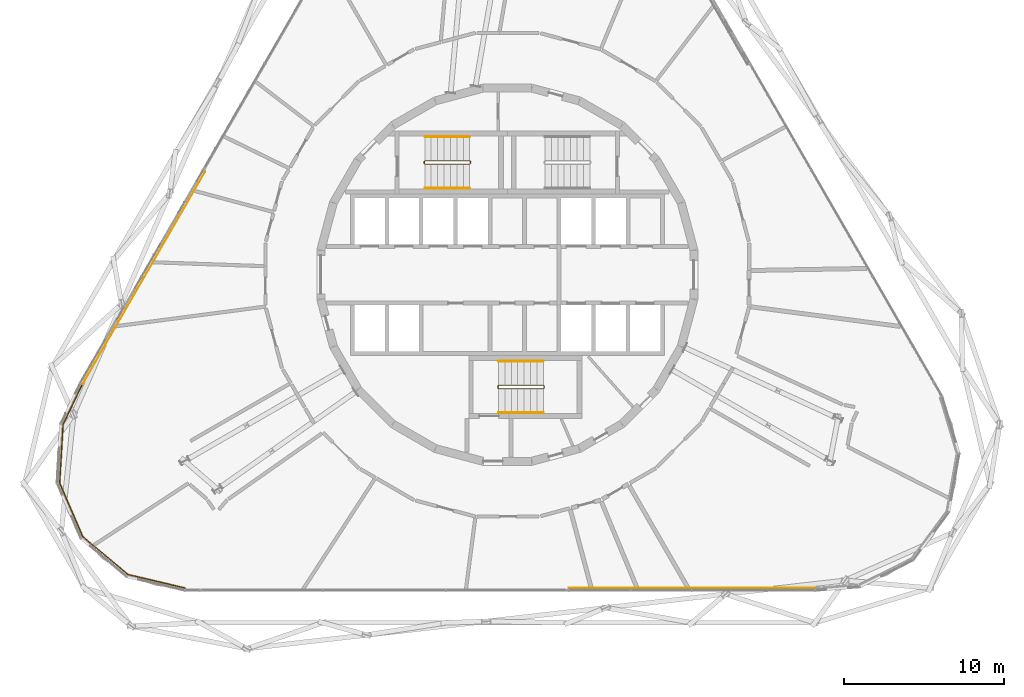
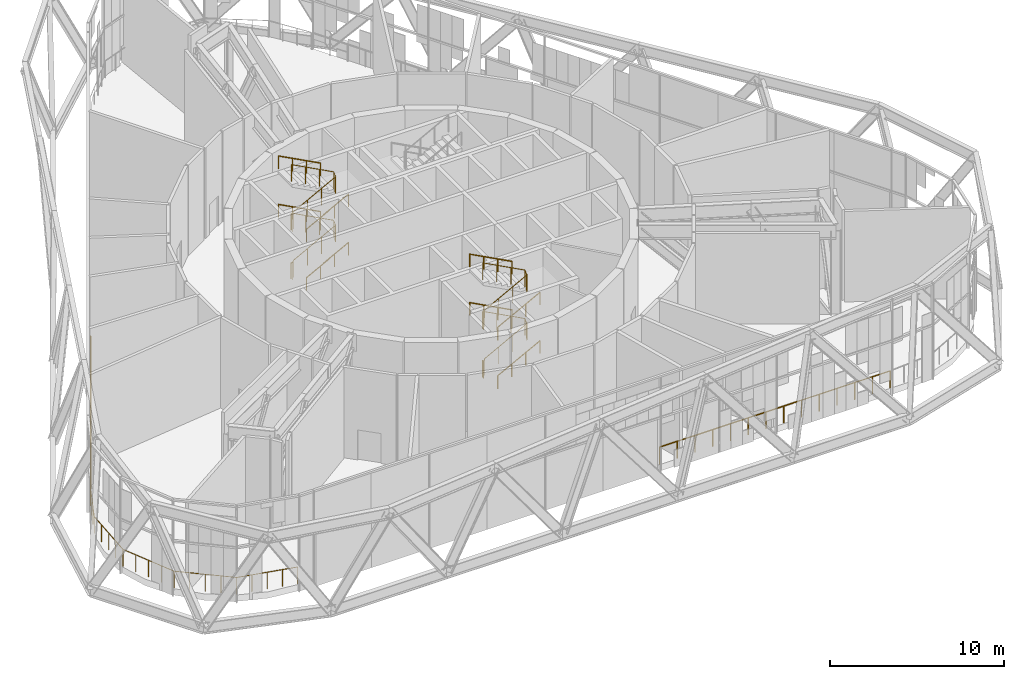
# One storey, part 28 of 29: 13 railings.
"""IFC4 building model written with IfcOpenShell, lengths in metres."""

from ifc_helpers import new_model, si_unit, direction, frame, origin, origin_2d, place, context, subcontext, project, spatial, circle, extrude, material, type_object, element, save


model = new_model("IFC4")

# Units and contexts
model_context = context("Model", 3, precision=1e-05, world=origin(), true_north=direction((0.0, 1.0)))
body_context = subcontext(model_context, "Body", "Model", "MODEL_VIEW")
ifc_project = project(units=[si_unit("LENGTHUNIT", "METRE"), si_unit("AREAUNIT", "SQUARE_METRE"), si_unit("VOLUMEUNIT", "CUBIC_METRE"), si_unit("PLANEANGLEUNIT", "RADIAN"), si_unit("MASSUNIT", "GRAM", prefix="KILO")], contexts=[model_context])

# Site, building, storey
site_placement = place(None, origin())
site = spatial("IfcSite", under=ifc_project, at=site_placement, CompositionType="ELEMENT")
building_placement = place(site_placement, origin())
building = spatial("IfcBuilding", under=site, at=building_placement, Name="Spindle Arch Residences", CompositionType="ELEMENT")
storey_placement = place(building_placement, frame((0.0, 0.0, 69.89990234375)))
storey = spatial("IfcBuildingStorey", under=building, at=storey_placement, Name="L16", CompositionType="ELEMENT", Elevation=69.89990234375)

# Railings
ifc_material_1 = material(Name="Bronze anodised aluminium guard with glass infill", Category="aluminium")
railing_type_1 = type_object("IfcRailingType", Name="Facade guard 1200", PredefinedType="GUARDRAIL", material=ifc_material_1)
railing_1_placement = place(storey_placement, frame((-18.87451171875, 6.428466796875, 0.0)))
element("IfcRailing", 1, at=railing_1_placement, inside=storey, type_object=railing_type_1, Name="Facade guard L16 4", PredefinedType="GUARDRAIL", context=body_context, shape_type="SweptSolid", body=[
    extrude(circle(Radius=0.02392578125, at=origin_2d()), frame((0.0, 0.0, 1.17578125), z_axis=(-0.499986733834, -0.866033062874, 0.0), x_axis=(0.866033062874, -0.499986733834, 0.0)), (0.0, 0.0, 1.0), 15.30029296875),
    extrude(circle(Radius=0.02099609375, at=origin_2d()), origin(), (0.0, 0.0, 1.0), 1.15185546875),
    extrude(circle(Radius=0.02099609375, at=origin_2d()), frame((-0.58837890625, -1.019287109375, 0.0)), (0.0, 0.0, 1.0), 1.15185546875),
    extrude(circle(Radius=0.02099609375, at=origin_2d()), frame((-1.177001953125, -2.03857421875, 0.0)), (0.0, 0.0, 1.0), 1.15185546875),
    extrude(circle(Radius=0.02099609375, at=origin_2d()), frame((-1.765380859375, -3.057861328125, 0.0)), (0.0, 0.0, 1.0), 1.15185546875),
    extrude(circle(Radius=0.02099609375, at=origin_2d()), frame((-2.353759765625, -4.0771484375, 0.0)), (0.0, 0.0, 1.0), 1.15185546875),
    extrude(circle(Radius=0.02099609375, at=origin_2d()), frame((-2.9423828125, -5.096435546875, 0.0)), (0.0, 0.0, 1.0), 1.15185546875),
    extrude(circle(Radius=0.02099609375, at=origin_2d()), frame((-3.53076171875, -6.11572265625, 0.0)), (0.0, 0.0, 1.0), 1.15185546875),
    extrude(circle(Radius=0.02099609375, at=origin_2d()), frame((-4.119140625, -7.134765625, 0.0)), (0.0, 0.0, 1.0), 1.15185546875),
    extrude(circle(Radius=0.02099609375, at=origin_2d()), frame((-4.70751953125, -8.154052734375, 0.0)), (0.0, 0.0, 1.0), 1.15185546875),
    extrude(circle(Radius=0.02099609375, at=origin_2d()), frame((-5.296142578125, -9.17333984375, 0.0)), (0.0, 0.0, 1.0), 1.15185546875),
    extrude(circle(Radius=0.02099609375, at=origin_2d()), frame((-5.884521484375, -10.192626953125, 0.0)), (0.0, 0.0, 1.0), 1.15185546875),
    extrude(circle(Radius=0.02099609375, at=origin_2d()), frame((-6.472900390625, -11.2119140625, 0.0)), (0.0, 0.0, 1.0), 1.15185546875),
    extrude(circle(Radius=0.02099609375, at=origin_2d()), frame((-7.0615234375, -12.231201171875, 0.0)), (0.0, 0.0, 1.0), 1.15185546875),
    extrude(circle(Radius=0.02099609375, at=origin_2d()), frame((-7.64990234375, -13.25048828125, 0.0)), (0.0, 0.0, 1.0), 1.15185546875),
])
railing_2_placement = place(storey_placement, frame((-26.547119140625, -6.86474609375, 0.0)))
element("IfcRailing", 2, at=railing_2_placement, inside=storey, type_object=railing_type_1, Name="Facade guard L16 5", PredefinedType="GUARDRAIL", context=body_context, shape_type="SweptSolid", body=[
    extrude(circle(Radius=0.02392578125, at=origin_2d()), frame((0.0, 0.0, 1.17578125), z_axis=(-0.43147744699, -0.902123723631, 0.0), x_axis=(0.902123723631, -0.43147744699, 0.0)), (0.0, 0.0, 1.0), 2.7548828125),
    extrude(circle(Radius=0.02392578125, at=origin_2d()), frame((-1.188720703125, -2.4853515625, 1.17578125), z_axis=(-0.058242077494, -0.998302489434, 0.0), x_axis=(0.998302489434, -0.058242077494, 0.0)), (0.0, 0.0, 1.0), 3.66796875),
    extrude(circle(Radius=0.02392578125, at=origin_2d()), frame((-1.40234375, -6.14697265625, 1.17578125), z_axis=(0.396762150344, -0.917921454186, 0.0), x_axis=(0.917921454186, 0.396762150344, 0.0)), (0.0, 0.0, 1.0), 3.65625),
    extrude(circle(Radius=0.02392578125, at=origin_2d()), frame((0.04833984375, -9.503173828125, 1.17578125), z_axis=(0.766444959799, -0.642309990269, 0.0), x_axis=(0.642309990269, 0.766444959799, 0.0)), (0.0, 0.0, 1.0), 3.65625),
    extrude(circle(Radius=0.02392578125, at=origin_2d()), frame((2.8505859375, -11.8515625, 1.17578125), z_axis=(0.973199558081, -0.229962214616, 0.0), x_axis=(0.229962214616, 0.973199558081, 0.0)), (0.0, 0.0, 1.0), 3.65625),
    extrude(circle(Radius=0.02099609375, at=origin_2d()), origin(), (0.0, 0.0, 1.0), 1.15185546875),
    extrude(circle(Radius=0.02099609375, at=origin_2d()), frame((-0.396240234375, -0.828369140625, 0.0)), (0.0, 0.0, 1.0), 1.15185546875),
    extrude(circle(Radius=0.02099609375, at=origin_2d()), frame((-0.79248046875, -1.656982421875, 0.0)), (0.0, 0.0, 1.0), 1.15185546875),
    extrude(circle(Radius=0.02099609375, at=origin_2d()), frame((-1.188720703125, -2.4853515625, 0.0)), (0.0, 0.0, 1.0), 1.15185546875),
    extrude(circle(Radius=0.02099609375, at=origin_2d()), frame((-1.2421875, -3.40087890625, 0.0)), (0.0, 0.0, 1.0), 1.15185546875),
    extrude(circle(Radius=0.02099609375, at=origin_2d()), frame((-1.29541015625, -4.316162109375, 0.0)), (0.0, 0.0, 1.0), 1.15185546875),
    extrude(circle(Radius=0.02099609375, at=origin_2d()), frame((-1.348876953125, -5.2314453125, 0.0)), (0.0, 0.0, 1.0), 1.15185546875),
    extrude(circle(Radius=0.02099609375, at=origin_2d()), frame((-1.40234375, -6.14697265625, 0.0)), (0.0, 0.0, 1.0), 1.15185546875),
    extrude(circle(Radius=0.02099609375, at=origin_2d()), frame((-1.03955078125, -6.986083984375, 0.0)), (0.0, 0.0, 1.0), 1.15185546875),
    extrude(circle(Radius=0.02099609375, at=origin_2d()), frame((-0.677001953125, -7.8251953125, 0.0)), (0.0, 0.0, 1.0), 1.15185546875),
    extrude(circle(Radius=0.02099609375, at=origin_2d()), frame((-0.314453125, -8.6640625, 0.0)), (0.0, 0.0, 1.0), 1.15185546875),
    extrude(circle(Radius=0.02099609375, at=origin_2d()), frame((0.04833984375, -9.503173828125, 0.0)), (0.0, 0.0, 1.0), 1.15185546875),
    extrude(circle(Radius=0.02099609375, at=origin_2d()), frame((0.7490234375, -10.09033203125, 0.0)), (0.0, 0.0, 1.0), 1.15185546875),
    extrude(circle(Radius=0.02099609375, at=origin_2d()), frame((1.449462890625, -10.67724609375, 0.0)), (0.0, 0.0, 1.0), 1.15185546875),
    extrude(circle(Radius=0.02099609375, at=origin_2d()), frame((2.14990234375, -11.264404296875, 0.0)), (0.0, 0.0, 1.0), 1.15185546875),
    extrude(circle(Radius=0.02099609375, at=origin_2d()), frame((2.8505859375, -11.8515625, 0.0)), (0.0, 0.0, 1.0), 1.15185546875),
    extrude(circle(Radius=0.02099609375, at=origin_2d()), frame((3.740234375, -12.061767578125, 0.0)), (0.0, 0.0, 1.0), 1.15185546875),
    extrude(circle(Radius=0.02099609375, at=origin_2d()), frame((4.6298828125, -12.27197265625, 0.0)), (0.0, 0.0, 1.0), 1.15185546875),
    extrude(circle(Radius=0.02099609375, at=origin_2d()), frame((5.519287109375, -12.482177734375, 0.0)), (0.0, 0.0, 1.0), 1.15185546875),
    extrude(circle(Radius=0.02099609375, at=origin_2d()), frame((6.408935546875, -12.6923828125, 0.0)), (0.0, 0.0, 1.0), 1.15185546875),
])
railing_3_placement = place(storey_placement, frame((3.8701171875, -19.559814453125, 0.0)))
element("IfcRailing", 3, at=railing_3_placement, inside=storey, type_object=railing_type_1, Name="Facade guard L16 6", PredefinedType="GUARDRAIL", context=body_context, shape_type="SweptSolid", body=[
    extrude(circle(Radius=0.02392578125, at=origin_2d()), frame((0.0, 0.0, 1.17578125), z_axis=(1.0, 0.0, 0.0), x_axis=(0.0, 1.0, 0.0)), (0.0, 0.0, 1.0), 15.300048828125),
    extrude(circle(Radius=0.02099609375, at=origin_2d()), origin(), (0.0, 0.0, 1.0), 1.15185546875),
    extrude(circle(Radius=0.02099609375, at=origin_2d()), frame((1.177001953125, 0.0, 0.0)), (0.0, 0.0, 1.0), 1.15185546875),
    extrude(circle(Radius=0.02099609375, at=origin_2d()), frame((2.353759765625, 0.0, 0.0)), (0.0, 0.0, 1.0), 1.15185546875),
    extrude(circle(Radius=0.02099609375, at=origin_2d()), frame((3.53076171875, 0.0, 0.0)), (0.0, 0.0, 1.0), 1.15185546875),
    extrude(circle(Radius=0.02099609375, at=origin_2d()), frame((4.707763671875, 0.0, 0.0)), (0.0, 0.0, 1.0), 1.15185546875),
    extrude(circle(Radius=0.02099609375, at=origin_2d()), frame((5.884521484375, 0.0, 0.0)), (0.0, 0.0, 1.0), 1.15185546875),
    extrude(circle(Radius=0.02099609375, at=origin_2d()), frame((7.0615234375, 0.0, 0.0)), (0.0, 0.0, 1.0), 1.15185546875),
    extrude(circle(Radius=0.02099609375, at=origin_2d()), frame((8.238525390625, 0.0, 0.0)), (0.0, 0.0, 1.0), 1.15185546875),
    extrude(circle(Radius=0.02099609375, at=origin_2d()), frame((9.41552734375, 0.0, 0.0)), (0.0, 0.0, 1.0), 1.15185546875),
    extrude(circle(Radius=0.02099609375, at=origin_2d()), frame((10.59228515625, 0.0, 0.0)), (0.0, 0.0, 1.0), 1.15185546875),
    extrude(circle(Radius=0.02099609375, at=origin_2d()), frame((11.769287109375, 0.0, 0.0)), (0.0, 0.0, 1.0), 1.15185546875),
    extrude(circle(Radius=0.02099609375, at=origin_2d()), frame((12.9462890625, 0.0, 0.0)), (0.0, 0.0, 1.0), 1.15185546875),
    extrude(circle(Radius=0.02099609375, at=origin_2d()), frame((14.123046875, 0.0, 0.0)), (0.0, 0.0, 1.0), 1.15185546875),
    extrude(circle(Radius=0.02099609375, at=origin_2d()), frame((15.300048828125, 0.0, 0.0)), (0.0, 0.0, 1.0), 1.15185546875),
])
ifc_material_2 = material(Name="Steel, painted", Category="steel")
railing_type_2 = type_object("IfcRailingType", Name="Stair guard 1100", PredefinedType="GUARDRAIL", material=ifc_material_2)
railing_4_placement = place(storey_placement, frame((-5.14990234375, 7.1201171875, 6.800048828125)))
element("IfcRailing", 4, at=railing_4_placement, inside=storey, type_object=railing_type_2, Name="L16 ST2 stair guard 1", PredefinedType="GUARDRAIL", context=body_context, shape_type="SweptSolid", body=[
    extrude(circle(Radius=0.02392578125, at=origin_2d()), frame((0.0, 0.0, 1.17578125), z_axis=(0.883095778239, 0.0, -0.469192760447), x_axis=(0.0, 1.0, 0.0)), (0.0, 0.0, 1.0), 3.17041015625),
    extrude(circle(Radius=0.02392578125, at=origin_2d()), frame((2.7998046875, 0.0, -0.3115234375), z_axis=(0.223546962728, -0.223546962728, -0.948711500357), x_axis=(0.707106781187, 0.707106781187, 0.0)), (0.0, 0.0, 1.0), 0.223876953125),
    extrude(circle(Radius=0.02392578125, at=origin_2d()), frame((2.849853515625, -0.050048828125, -0.52392578125), z_axis=(0.0, -1.0, 0.0), x_axis=(1.0, 0.0, 0.0)), (0.0, 0.0, 1.0), 0.1201171875),
    extrude(circle(Radius=0.02392578125, at=origin_2d()), frame((2.849853515625, -0.170166015625, -0.52392578125), z_axis=(-0.707106781187, -0.707106781187, 0.0), x_axis=(0.707106781187, -0.707106781187, 0.0)), (0.0, 0.0, 1.0), 0.07080078125),
    extrude(circle(Radius=0.02392578125, at=origin_2d()), frame((2.7998046875, -0.22021484375, -0.52392578125), z_axis=(-0.883095778239, 0.0, -0.469192760447), x_axis=(0.0, -1.0, 0.0)), (0.0, 0.0, 1.0), 3.17041015625),
    extrude(circle(Radius=0.02392578125, at=origin_2d()), frame((0.0, -0.22021484375, -2.01171875), z_axis=(-0.180861968005, 0.614930691216, -0.767560547142), x_axis=(-0.959365501571, -0.282166323992, 0.0)), (0.0, 0.0, 1.0), 0.276611328125),
    extrude(circle(Radius=0.02392578125, at=origin_2d()), frame((-0.050048828125, -0.050048828125, -2.22412109375), z_axis=(0.0, -1.0, 0.0), x_axis=(1.0, 0.0, 0.0)), (0.0, 0.0, 1.0), 0.1201171875),
    extrude(circle(Radius=0.02392578125, at=origin_2d()), frame((-0.050048828125, -0.170166015625, -2.22412109375), z_axis=(0.282166323992, 0.959365501571, 0.0), x_axis=(-0.959365501571, 0.282166323992, 0.0)), (0.0, 0.0, 1.0), 0.177490234375),
    extrude(circle(Radius=0.02392578125, at=origin_2d()), frame((0.0, 0.0, -2.22412109375), z_axis=(0.883095778239, 0.0, -0.469192760447), x_axis=(0.0, 1.0, 0.0)), (0.0, 0.0, 1.0), 3.17041015625),
    extrude(circle(Radius=0.02392578125, at=origin_2d()), frame((2.7998046875, 0.0, -3.71142578125), z_axis=(0.223546962728, -0.223546962728, -0.948711500357), x_axis=(0.707106781187, 0.707106781187, 0.0)), (0.0, 0.0, 1.0), 0.223876953125),
    extrude(circle(Radius=0.02392578125, at=origin_2d()), frame((2.849853515625, -0.050048828125, -3.923828125), z_axis=(0.0, -1.0, 0.0), x_axis=(1.0, 0.0, 0.0)), (0.0, 0.0, 1.0), 0.1201171875),
    extrude(circle(Radius=0.02392578125, at=origin_2d()), frame((2.849853515625, -0.170166015625, -3.923828125), z_axis=(-0.707106781187, -0.707106781187, 0.0), x_axis=(0.707106781187, -0.707106781187, 0.0)), (0.0, 0.0, 1.0), 0.07080078125),
    extrude(circle(Radius=0.02392578125, at=origin_2d()), frame((2.7998046875, -0.22021484375, -3.923828125), z_axis=(-0.883095778239, 0.0, -0.469192760447), x_axis=(0.0, -1.0, 0.0)), (0.0, 0.0, 1.0), 3.17041015625),
    extrude(circle(Radius=0.02392578125, at=origin_2d()), frame((0.0, -0.22021484375, -5.41162109375), z_axis=(-0.223315919267, 0.223315919267, -0.9488203204), x_axis=(-0.707106781187, -0.707106781187, 0.0)), (0.0, 0.0, 1.0), 0.22412109375),
    extrude(circle(Radius=0.02392578125, at=origin_2d()), frame((-0.050048828125, -0.170166015625, -5.6240234375), z_axis=(0.0, 1.0, 0.0), x_axis=(-1.0, 0.0, 0.0)), (0.0, 0.0, 1.0), 0.1201171875),
    extrude(circle(Radius=0.02099609375, at=origin_2d()), origin(), (0.0, 0.0, 1.0), 1.15185546875),
    extrude(circle(Radius=0.02099609375, at=origin_2d()), frame((0.933349609375, 0.0, -0.495849609375)), (0.0, 0.0, 1.0), 1.15185546875),
    extrude(circle(Radius=0.02099609375, at=origin_2d()), frame((1.866455078125, 0.0, -0.99169921875)), (0.0, 0.0, 1.0), 1.15185546875),
    extrude(circle(Radius=0.02099609375, at=origin_2d()), frame((2.7998046875, 0.0, -1.487548828125)), (0.0, 0.0, 1.0), 1.15185546875),
    extrude(circle(Radius=0.02099609375, at=origin_2d()), frame((2.849853515625, -0.050048828125, -1.699951171875)), (0.0, 0.0, 1.0), 1.15185546875),
    extrude(circle(Radius=0.02099609375, at=origin_2d()), frame((2.849853515625, -0.170166015625, -1.699951171875)), (0.0, 0.0, 1.0), 1.15185546875),
    extrude(circle(Radius=0.02099609375, at=origin_2d()), frame((2.7998046875, -0.22021484375, -1.699951171875)), (0.0, 0.0, 1.0), 1.15185546875),
    extrude(circle(Radius=0.02099609375, at=origin_2d()), frame((1.866455078125, -0.22021484375, -2.19580078125)), (0.0, 0.0, 1.0), 1.15185546875),
    extrude(circle(Radius=0.02099609375, at=origin_2d()), frame((0.933349609375, -0.22021484375, -2.691650390625)), (0.0, 0.0, 1.0), 1.15185546875),
    extrude(circle(Radius=0.02099609375, at=origin_2d()), frame((0.0, -0.22021484375, -3.1875)), (0.0, 0.0, 1.0), 1.15185546875),
    extrude(circle(Radius=0.02099609375, at=origin_2d()), frame((-0.050048828125, -0.050048828125, -3.39990234375)), (0.0, 0.0, 1.0), 1.15185546875),
    extrude(circle(Radius=0.02099609375, at=origin_2d()), frame((-0.050048828125, -0.170166015625, -3.39990234375)), (0.0, 0.0, 1.0), 1.15185546875),
    extrude(circle(Radius=0.02099609375, at=origin_2d()), frame((0.0, 0.0, -3.39990234375)), (0.0, 0.0, 1.0), 1.15185546875),
    extrude(circle(Radius=0.02099609375, at=origin_2d()), frame((0.933349609375, 0.0, -3.895751953125)), (0.0, 0.0, 1.0), 1.15185546875),
    extrude(circle(Radius=0.02099609375, at=origin_2d()), frame((1.866455078125, 0.0, -4.3916015625)), (0.0, 0.0, 1.0), 1.15185546875),
    extrude(circle(Radius=0.02099609375, at=origin_2d()), frame((2.7998046875, 0.0, -4.887451171875)), (0.0, 0.0, 1.0), 1.15185546875),
    extrude(circle(Radius=0.02099609375, at=origin_2d()), frame((2.849853515625, -0.050048828125, -5.099853515625)), (0.0, 0.0, 1.0), 1.15185546875),
    extrude(circle(Radius=0.02099609375, at=origin_2d()), frame((2.849853515625, -0.170166015625, -5.099853515625)), (0.0, 0.0, 1.0), 1.15185546875),
    extrude(circle(Radius=0.02099609375, at=origin_2d()), frame((2.7998046875, -0.22021484375, -5.099853515625)), (0.0, 0.0, 1.0), 1.15185546875),
    extrude(circle(Radius=0.02099609375, at=origin_2d()), frame((1.866455078125, -0.22021484375, -5.595703125)), (0.0, 0.0, 1.0), 1.15185546875),
    extrude(circle(Radius=0.02099609375, at=origin_2d()), frame((0.933349609375, -0.22021484375, -6.091552734375)), (0.0, 0.0, 1.0), 1.15185546875),
    extrude(circle(Radius=0.02099609375, at=origin_2d()), frame((0.0, -0.22021484375, -6.58740234375)), (0.0, 0.0, 1.0), 1.15185546875),
    extrude(circle(Radius=0.02099609375, at=origin_2d()), frame((-0.050048828125, -0.170166015625, -6.800048828125)), (0.0, 0.0, 1.0), 1.15185546875),
    extrude(circle(Radius=0.02099609375, at=origin_2d()), frame((-0.050048828125, -0.050048828125, -6.800048828125)), (0.0, 0.0, 1.0), 1.15185546875),
])
railing_5_placement = place(storey_placement, frame((-0.550048828125, -6.89990234375, 6.800048828125)))
element("IfcRailing", 5, at=railing_5_placement, inside=storey, type_object=railing_type_2, Name="L16 ST3 stair guard 1", PredefinedType="GUARDRAIL", context=body_context, shape_type="SweptSolid", body=[
    extrude(circle(Radius=0.02392578125, at=origin_2d()), frame((0.0, 0.0, 1.17578125), z_axis=(0.88311272858, 0.0, -0.469160855806), x_axis=(0.0, 1.0, 0.0)), (0.0, 0.0, 1.0), 3.170654296875),
    extrude(circle(Radius=0.02392578125, at=origin_2d()), frame((2.800048828125, 0.0, -0.3115234375), z_axis=(0.223546962728, -0.223546962728, -0.948711500357), x_axis=(0.707106781187, 0.707106781187, 0.0)), (0.0, 0.0, 1.0), 0.223876953125),
    extrude(circle(Radius=0.02392578125, at=origin_2d()), frame((2.85009765625, -0.050048828125, -0.52392578125), z_axis=(0.0, -1.0, 0.0), x_axis=(1.0, 0.0, 0.0)), (0.0, 0.0, 1.0), 0.1201171875),
    extrude(circle(Radius=0.02392578125, at=origin_2d()), frame((2.85009765625, -0.170166015625, -0.52392578125), z_axis=(-0.707106781187, -0.707106781187, 0.0), x_axis=(0.707106781187, -0.707106781187, 0.0)), (0.0, 0.0, 1.0), 0.07080078125),
    extrude(circle(Radius=0.02392578125, at=origin_2d()), frame((2.800048828125, -0.22021484375, -0.52392578125), z_axis=(-0.88311272858, 0.0, -0.469160855806), x_axis=(0.0, -1.0, 0.0)), (0.0, 0.0, 1.0), 3.170654296875),
    extrude(circle(Radius=0.02392578125, at=origin_2d()), frame((0.0, -0.22021484375, -2.01171875), z_axis=(-0.180861968005, 0.614930691216, -0.767560547142), x_axis=(-0.959365501571, -0.282166323992, 0.0)), (0.0, 0.0, 1.0), 0.276611328125),
    extrude(circle(Radius=0.02392578125, at=origin_2d()), frame((-0.050048828125, -0.050048828125, -2.22412109375), z_axis=(0.0, -1.0, 0.0), x_axis=(1.0, 0.0, 0.0)), (0.0, 0.0, 1.0), 0.1201171875),
    extrude(circle(Radius=0.02392578125, at=origin_2d()), frame((-0.050048828125, -0.170166015625, -2.22412109375), z_axis=(0.282166323992, 0.959365501571, 0.0), x_axis=(-0.959365501571, 0.282166323992, 0.0)), (0.0, 0.0, 1.0), 0.177490234375),
    extrude(circle(Radius=0.02392578125, at=origin_2d()), frame((0.0, 0.0, -2.22412109375), z_axis=(0.88311272858, 0.0, -0.469160855806), x_axis=(0.0, 1.0, 0.0)), (0.0, 0.0, 1.0), 3.170654296875),
    extrude(circle(Radius=0.02392578125, at=origin_2d()), frame((2.800048828125, 0.0, -3.71142578125), z_axis=(0.223546962728, -0.223546962728, -0.948711500357), x_axis=(0.707106781187, 0.707106781187, 0.0)), (0.0, 0.0, 1.0), 0.223876953125),
    extrude(circle(Radius=0.02392578125, at=origin_2d()), frame((2.85009765625, -0.050048828125, -3.923828125), z_axis=(0.0, -1.0, 0.0), x_axis=(1.0, 0.0, 0.0)), (0.0, 0.0, 1.0), 0.1201171875),
    extrude(circle(Radius=0.02392578125, at=origin_2d()), frame((2.85009765625, -0.170166015625, -3.923828125), z_axis=(-0.707106781187, -0.707106781187, 0.0), x_axis=(0.707106781187, -0.707106781187, 0.0)), (0.0, 0.0, 1.0), 0.07080078125),
    extrude(circle(Radius=0.02392578125, at=origin_2d()), frame((2.800048828125, -0.22021484375, -3.923828125), z_axis=(-0.88311272858, 0.0, -0.469160855806), x_axis=(0.0, -1.0, 0.0)), (0.0, 0.0, 1.0), 3.170654296875),
    extrude(circle(Radius=0.02392578125, at=origin_2d()), frame((0.0, -0.22021484375, -5.41162109375), z_axis=(-0.223315919267, 0.223315919267, -0.9488203204), x_axis=(-0.707106781187, -0.707106781187, 0.0)), (0.0, 0.0, 1.0), 0.22412109375),
    extrude(circle(Radius=0.02392578125, at=origin_2d()), frame((-0.050048828125, -0.170166015625, -5.6240234375), z_axis=(0.0, 1.0, 0.0), x_axis=(-1.0, 0.0, 0.0)), (0.0, 0.0, 1.0), 0.1201171875),
    extrude(circle(Radius=0.02099609375, at=origin_2d()), origin(), (0.0, 0.0, 1.0), 1.15185546875),
    extrude(circle(Radius=0.02099609375, at=origin_2d()), frame((0.933349609375, 0.0, -0.495849609375)), (0.0, 0.0, 1.0), 1.15185546875),
    extrude(circle(Radius=0.02099609375, at=origin_2d()), frame((1.86669921875, 0.0, -0.99169921875)), (0.0, 0.0, 1.0), 1.15185546875),
    extrude(circle(Radius=0.02099609375, at=origin_2d()), frame((2.800048828125, 0.0, -1.487548828125)), (0.0, 0.0, 1.0), 1.15185546875),
    extrude(circle(Radius=0.02099609375, at=origin_2d()), frame((2.85009765625, -0.050048828125, -1.699951171875)), (0.0, 0.0, 1.0), 1.15185546875),
    extrude(circle(Radius=0.02099609375, at=origin_2d()), frame((2.85009765625, -0.170166015625, -1.699951171875)), (0.0, 0.0, 1.0), 1.15185546875),
    extrude(circle(Radius=0.02099609375, at=origin_2d()), frame((2.800048828125, -0.22021484375, -1.699951171875)), (0.0, 0.0, 1.0), 1.15185546875),
    extrude(circle(Radius=0.02099609375, at=origin_2d()), frame((1.86669921875, -0.22021484375, -2.19580078125)), (0.0, 0.0, 1.0), 1.15185546875),
    extrude(circle(Radius=0.02099609375, at=origin_2d()), frame((0.933349609375, -0.22021484375, -2.691650390625)), (0.0, 0.0, 1.0), 1.15185546875),
    extrude(circle(Radius=0.02099609375, at=origin_2d()), frame((0.0, -0.22021484375, -3.1875)), (0.0, 0.0, 1.0), 1.15185546875),
    extrude(circle(Radius=0.02099609375, at=origin_2d()), frame((-0.050048828125, -0.050048828125, -3.39990234375)), (0.0, 0.0, 1.0), 1.15185546875),
    extrude(circle(Radius=0.02099609375, at=origin_2d()), frame((-0.050048828125, -0.170166015625, -3.39990234375)), (0.0, 0.0, 1.0), 1.15185546875),
    extrude(circle(Radius=0.02099609375, at=origin_2d()), frame((0.0, 0.0, -3.39990234375)), (0.0, 0.0, 1.0), 1.15185546875),
    extrude(circle(Radius=0.02099609375, at=origin_2d()), frame((0.933349609375, 0.0, -3.895751953125)), (0.0, 0.0, 1.0), 1.15185546875),
    extrude(circle(Radius=0.02099609375, at=origin_2d()), frame((1.86669921875, 0.0, -4.3916015625)), (0.0, 0.0, 1.0), 1.15185546875),
    extrude(circle(Radius=0.02099609375, at=origin_2d()), frame((2.800048828125, 0.0, -4.887451171875)), (0.0, 0.0, 1.0), 1.15185546875),
    extrude(circle(Radius=0.02099609375, at=origin_2d()), frame((2.85009765625, -0.050048828125, -5.099853515625)), (0.0, 0.0, 1.0), 1.15185546875),
    extrude(circle(Radius=0.02099609375, at=origin_2d()), frame((2.85009765625, -0.170166015625, -5.099853515625)), (0.0, 0.0, 1.0), 1.15185546875),
    extrude(circle(Radius=0.02099609375, at=origin_2d()), frame((2.800048828125, -0.22021484375, -5.099853515625)), (0.0, 0.0, 1.0), 1.15185546875),
    extrude(circle(Radius=0.02099609375, at=origin_2d()), frame((1.86669921875, -0.22021484375, -5.595703125)), (0.0, 0.0, 1.0), 1.15185546875),
    extrude(circle(Radius=0.02099609375, at=origin_2d()), frame((0.933349609375, -0.22021484375, -6.091552734375)), (0.0, 0.0, 1.0), 1.15185546875),
    extrude(circle(Radius=0.02099609375, at=origin_2d()), frame((0.0, -0.22021484375, -6.58740234375)), (0.0, 0.0, 1.0), 1.15185546875),
    extrude(circle(Radius=0.02099609375, at=origin_2d()), frame((-0.050048828125, -0.170166015625, -6.800048828125)), (0.0, 0.0, 1.0), 1.15185546875),
    extrude(circle(Radius=0.02099609375, at=origin_2d()), frame((-0.050048828125, -0.050048828125, -6.800048828125)), (0.0, 0.0, 1.0), 1.15185546875),
])
ifc_material_3 = material(Name="Steel, painted", Category="steel")
railing_type_3 = type_object("IfcRailingType", Name="Stair handrail 900", PredefinedType="HANDRAIL", material=ifc_material_3)
railing_6_placement = place(storey_placement, frame((-5.14990234375, 5.39990234375, 0.212646484375)))
element("IfcRailing", 6, at=railing_6_placement, inside=storey, type_object=railing_type_3, Name="L16 ST2 stair handrail 1", PredefinedType="HANDRAIL", context=body_context, shape_type="SweptSolid", body=[
    extrude(circle(Radius=0.02392578125, at=origin_2d()), frame((0.0, 0.0, 0.8759765625), z_axis=(0.883095778239, 0.0, 0.469192760447), x_axis=(0.0, 1.0, 0.0)), (0.0, 0.0, 1.0), 3.17041015625),
    extrude(circle(Radius=0.02099609375, at=origin_2d()), origin(), (0.0, 0.0, 1.0), 0.851806640625),
    extrude(circle(Radius=0.02099609375, at=origin_2d()), frame((0.933349609375, 0.0, 0.495849609375)), (0.0, 0.0, 1.0), 0.851806640625),
    extrude(circle(Radius=0.02099609375, at=origin_2d()), frame((1.866455078125, 0.0, 0.99169921875)), (0.0, 0.0, 1.0), 0.851806640625),
    extrude(circle(Radius=0.02099609375, at=origin_2d()), frame((2.7998046875, 0.0, 1.487548828125)), (0.0, 0.0, 1.0), 0.851806640625),
])
railing_7_placement = place(storey_placement, frame((-2.35009765625, 8.6201171875, 1.91259765625)))
element("IfcRailing", 7, at=railing_7_placement, inside=storey, type_object=railing_type_3, Name="L16 ST2 stair handrail 2", PredefinedType="HANDRAIL", context=body_context, shape_type="SweptSolid", body=[
    extrude(circle(Radius=0.02392578125, at=origin_2d()), frame((0.0, 0.0, 0.8759765625), z_axis=(-0.883095778239, 0.0, 0.469192760447), x_axis=(0.0, -1.0, 0.0)), (0.0, 0.0, 1.0), 3.17041015625),
    extrude(circle(Radius=0.02099609375, at=origin_2d()), origin(), (0.0, 0.0, 1.0), 0.851806640625),
    extrude(circle(Radius=0.02099609375, at=origin_2d()), frame((-0.933349609375, 0.0, 0.495849609375)), (0.0, 0.0, 1.0), 0.851806640625),
    extrude(circle(Radius=0.02099609375, at=origin_2d()), frame((-1.866455078125, 0.0, 0.99169921875)), (0.0, 0.0, 1.0), 0.851806640625),
    extrude(circle(Radius=0.02099609375, at=origin_2d()), frame((-2.7998046875, 0.0, 1.487548828125)), (0.0, 0.0, 1.0), 0.851806640625),
])
railing_8_placement = place(storey_placement, frame((-5.14990234375, 5.39990234375, 3.612548828125)))
element("IfcRailing", 8, at=railing_8_placement, inside=storey, type_object=railing_type_3, Name="L16 ST2 stair handrail 3", PredefinedType="HANDRAIL", context=body_context, shape_type="SweptSolid", body=[
    extrude(circle(Radius=0.02392578125, at=origin_2d()), frame((0.0, 0.0, 0.8759765625), z_axis=(0.883095778239, 0.0, 0.469192760447), x_axis=(0.0, 1.0, 0.0)), (0.0, 0.0, 1.0), 3.17041015625),
    extrude(circle(Radius=0.02099609375, at=origin_2d()), origin(), (0.0, 0.0, 1.0), 0.851806640625),
    extrude(circle(Radius=0.02099609375, at=origin_2d()), frame((0.933349609375, 0.0, 0.495849609375)), (0.0, 0.0, 1.0), 0.851806640625),
    extrude(circle(Radius=0.02099609375, at=origin_2d()), frame((1.866455078125, 0.0, 0.99169921875)), (0.0, 0.0, 1.0), 0.851806640625),
    extrude(circle(Radius=0.02099609375, at=origin_2d()), frame((2.7998046875, 0.0, 1.487548828125)), (0.0, 0.0, 1.0), 0.851806640625),
])
railing_9_placement = place(storey_placement, frame((-2.35009765625, 8.6201171875, 5.3125)))
element("IfcRailing", 9, at=railing_9_placement, inside=storey, type_object=railing_type_3, Name="L16 ST2 stair handrail 4", PredefinedType="HANDRAIL", context=body_context, shape_type="SweptSolid", body=[
    extrude(circle(Radius=0.02392578125, at=origin_2d()), frame((0.0, 0.0, 0.8759765625), z_axis=(-0.883095778239, 0.0, 0.469192760447), x_axis=(0.0, -1.0, 0.0)), (0.0, 0.0, 1.0), 3.17041015625),
    extrude(circle(Radius=0.02099609375, at=origin_2d()), origin(), (0.0, 0.0, 1.0), 0.851806640625),
    extrude(circle(Radius=0.02099609375, at=origin_2d()), frame((-0.933349609375, 0.0, 0.495849609375)), (0.0, 0.0, 1.0), 0.851806640625),
    extrude(circle(Radius=0.02099609375, at=origin_2d()), frame((-1.866455078125, 0.0, 0.99169921875)), (0.0, 0.0, 1.0), 0.851806640625),
    extrude(circle(Radius=0.02099609375, at=origin_2d()), frame((-2.7998046875, 0.0, 1.487548828125)), (0.0, 0.0, 1.0), 0.851806640625),
])
railing_10_placement = place(storey_placement, frame((-0.550048828125, -8.6201171875, 0.212646484375)))
element("IfcRailing", 10, at=railing_10_placement, inside=storey, type_object=railing_type_3, Name="L16 ST3 stair handrail 1", PredefinedType="HANDRAIL", context=body_context, shape_type="SweptSolid", body=[
    extrude(circle(Radius=0.02392578125, at=origin_2d()), frame((0.0, 0.0, 0.8759765625), z_axis=(0.88311272858, 0.0, 0.469160855806), x_axis=(0.0, 1.0, 0.0)), (0.0, 0.0, 1.0), 3.170654296875),
    extrude(circle(Radius=0.02099609375, at=origin_2d()), origin(), (0.0, 0.0, 1.0), 0.851806640625),
    extrude(circle(Radius=0.02099609375, at=origin_2d()), frame((0.933349609375, 0.0, 0.495849609375)), (0.0, 0.0, 1.0), 0.851806640625),
    extrude(circle(Radius=0.02099609375, at=origin_2d()), frame((1.86669921875, 0.0, 0.99169921875)), (0.0, 0.0, 1.0), 0.851806640625),
    extrude(circle(Radius=0.02099609375, at=origin_2d()), frame((2.800048828125, 0.0, 1.487548828125)), (0.0, 0.0, 1.0), 0.851806640625),
])
railing_11_placement = place(storey_placement, frame((2.25, -5.39990234375, 1.91259765625)))
element("IfcRailing", 11, at=railing_11_placement, inside=storey, type_object=railing_type_3, Name="L16 ST3 stair handrail 2", PredefinedType="HANDRAIL", context=body_context, shape_type="SweptSolid", body=[
    extrude(circle(Radius=0.02392578125, at=origin_2d()), frame((0.0, 0.0, 0.8759765625), z_axis=(-0.88311272858, 0.0, 0.469160855806), x_axis=(0.0, -1.0, 0.0)), (0.0, 0.0, 1.0), 3.170654296875),
    extrude(circle(Radius=0.02099609375, at=origin_2d()), origin(), (0.0, 0.0, 1.0), 0.851806640625),
    extrude(circle(Radius=0.02099609375, at=origin_2d()), frame((-0.933349609375, 0.0, 0.495849609375)), (0.0, 0.0, 1.0), 0.851806640625),
    extrude(circle(Radius=0.02099609375, at=origin_2d()), frame((-1.86669921875, 0.0, 0.99169921875)), (0.0, 0.0, 1.0), 0.851806640625),
    extrude(circle(Radius=0.02099609375, at=origin_2d()), frame((-2.800048828125, 0.0, 1.487548828125)), (0.0, 0.0, 1.0), 0.851806640625),
])
railing_12_placement = place(storey_placement, frame((-0.550048828125, -8.6201171875, 3.612548828125)))
element("IfcRailing", 12, at=railing_12_placement, inside=storey, type_object=railing_type_3, Name="L16 ST3 stair handrail 3", PredefinedType="HANDRAIL", context=body_context, shape_type="SweptSolid", body=[
    extrude(circle(Radius=0.02392578125, at=origin_2d()), frame((0.0, 0.0, 0.8759765625), z_axis=(0.88311272858, 0.0, 0.469160855806), x_axis=(0.0, 1.0, 0.0)), (0.0, 0.0, 1.0), 3.170654296875),
    extrude(circle(Radius=0.02099609375, at=origin_2d()), origin(), (0.0, 0.0, 1.0), 0.851806640625),
    extrude(circle(Radius=0.02099609375, at=origin_2d()), frame((0.933349609375, 0.0, 0.495849609375)), (0.0, 0.0, 1.0), 0.851806640625),
    extrude(circle(Radius=0.02099609375, at=origin_2d()), frame((1.86669921875, 0.0, 0.99169921875)), (0.0, 0.0, 1.0), 0.851806640625),
    extrude(circle(Radius=0.02099609375, at=origin_2d()), frame((2.800048828125, 0.0, 1.487548828125)), (0.0, 0.0, 1.0), 0.851806640625),
])
railing_13_placement = place(storey_placement, frame((2.25, -5.39990234375, 5.3125)))
element("IfcRailing", 13, at=railing_13_placement, inside=storey, type_object=railing_type_3, Name="L16 ST3 stair handrail 4", PredefinedType="HANDRAIL", context=body_context, shape_type="SweptSolid", body=[
    extrude(circle(Radius=0.02392578125, at=origin_2d()), frame((0.0, 0.0, 0.8759765625), z_axis=(-0.88311272858, 0.0, 0.469160855806), x_axis=(0.0, -1.0, 0.0)), (0.0, 0.0, 1.0), 3.170654296875),
    extrude(circle(Radius=0.02099609375, at=origin_2d()), origin(), (0.0, 0.0, 1.0), 0.851806640625),
    extrude(circle(Radius=0.02099609375, at=origin_2d()), frame((-0.933349609375, 0.0, 0.495849609375)), (0.0, 0.0, 1.0), 0.851806640625),
    extrude(circle(Radius=0.02099609375, at=origin_2d()), frame((-1.86669921875, 0.0, 0.99169921875)), (0.0, 0.0, 1.0), 0.851806640625),
    extrude(circle(Radius=0.02099609375, at=origin_2d()), frame((-2.800048828125, 0.0, 1.487548828125)), (0.0, 0.0, 1.0), 0.851806640625),
])

save(model, "model.ifc")
